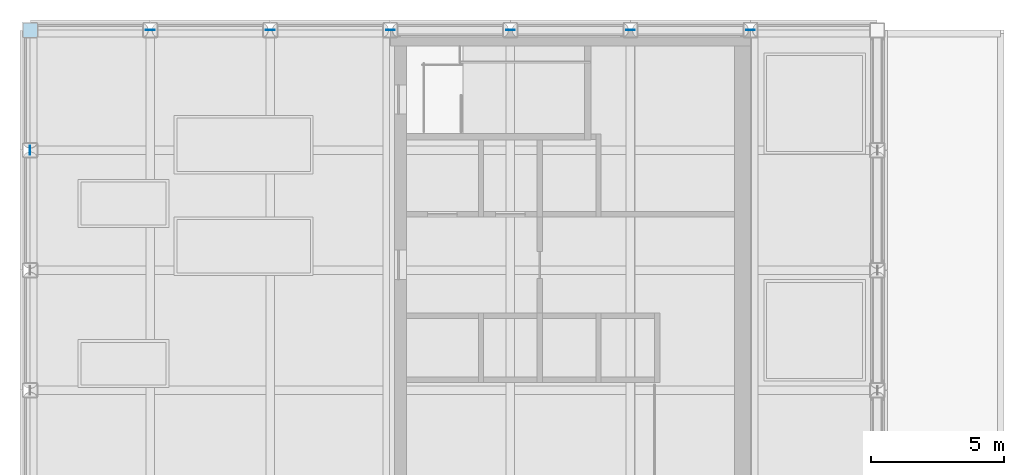
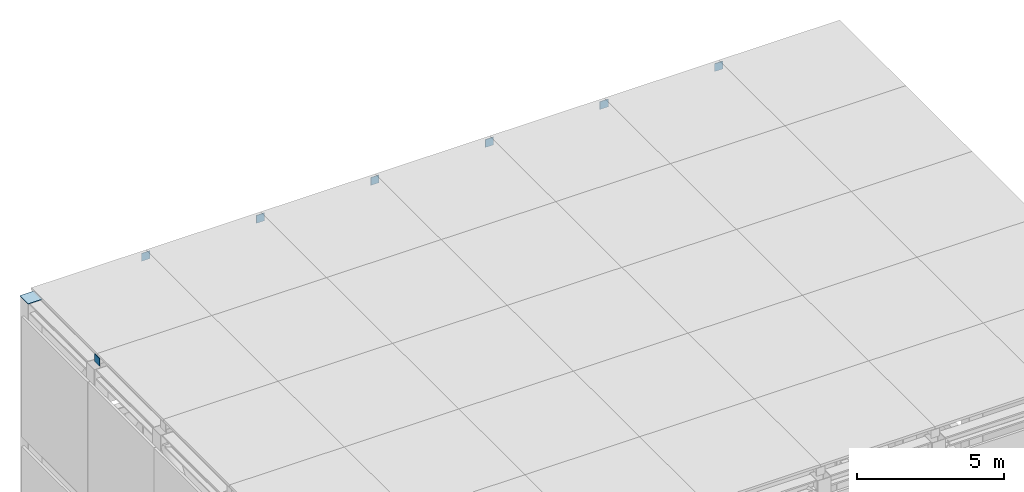
# One storey, part 5 of 11: 8 plates.
"""IFC4 building model written with IfcOpenShell, lengths in metres."""

from ifc_helpers import new_model, si_unit, direction, frame, origin, origin_2d, place, context, subcontext, project, spatial, rectangle, extrude, material, layer, layer_set, type_object, element, save


model = new_model("IFC4")

# Units and contexts
model_context = context("Model", 3, precision=1e-05, world=origin(), true_north=direction((0.0, 1.0)))
body_context = subcontext(model_context, "Body", "Model", "MODEL_VIEW")
ifc_project = project(units=[si_unit("LENGTHUNIT", "METRE"), si_unit("AREAUNIT", "SQUARE_METRE"), si_unit("VOLUMEUNIT", "CUBIC_METRE"), si_unit("PLANEANGLEUNIT", "RADIAN"), si_unit("MASSUNIT", "GRAM", prefix="KILO")], contexts=[model_context])

# Site, building, storey
site_placement = place(None, origin())
site = spatial("IfcSite", under=ifc_project, at=site_placement, CompositionType="ELEMENT")
building_placement = place(site_placement, origin())
building = spatial("IfcBuilding", under=site, at=building_placement, Name="Sennacour Bend Tower", CompositionType="ELEMENT")
storey_placement = place(building_placement, frame((0.0, 0.0, 355.5)))
storey = spatial("IfcBuildingStorey", under=building, at=storey_placement, Name="RF", CompositionType="ELEMENT", Elevation=355.5)

# Plates
ifc_material = material(Name="Steel ASTM A572 Grade 50", Category="steel")
ifc_layer_1 = layer(ifc_material, 0.02490234375, Name="Steel ASTM A572 Grade 50", Category="steel")
ifc_layer_set_1 = layer_set([ifc_layer_1], Name="Steel ASTM A572 Grade 50")
plate_type_1 = type_object("IfcPlateType", Name="Crown post cap plate 25", PredefinedType="USERDEFINED", material=ifc_layer_set_1)
plate_1_placement = place(storey_placement, frame((40.5, 22.5, 23.67626953125), z_axis=(0.0, 0.0, 1.0), x_axis=(1.0, 0.0, 0.0)))
element("IfcPlate", 1, at=plate_1_placement, inside=storey, type_object=plate_type_1, Name="CROWN FRAME post cap plate CPC-004", ObjectType="END PLATE", PredefinedType="USERDEFINED", context=body_context, shape_type="SweptSolid", body=[
    extrude(rectangle(XDim=0.558837890625, YDim=0.558837890625, at=origin_2d()), origin(), (0.0, 0.0, 1.0), 0.02490234375),
])
ifc_layer_2 = layer(ifc_material, 0.02001953125, Name="Steel ASTM A572 Grade 50", Category="steel")
ifc_layer_set_2 = layer_set([ifc_layer_2], Name="Steel ASTM A572 Grade 50")
plate_type_2 = type_object("IfcPlateType", Name="Crown rafter end plate 20", PredefinedType="USERDEFINED", material=ifc_layer_set_2)
for number, where, z_axis, x_axis, name in (
    (2, (45.0, 22.510009765625, 23.67626953125), (0.0, 0.0, 1.0), (1.0, 0.0, 0.0), "CROWN FRAME rafter end plate CFP-002"),
    (3, (49.5, 22.510009765625, 23.67626953125), (0.0, 0.0, 1.0), (1.0, 0.0, 0.0), "CROWN FRAME rafter end plate CFP-004"),
    (4, (54.0, 22.510009765625, 23.67626953125), (0.0, 0.0, 1.0), (1.0, 0.0, 0.0), "CROWN FRAME rafter end plate CFP-006"),
    (5, (58.5, 22.510009765625, 23.67626953125), (0.0, 0.0, 1.0), (1.0, 0.0, 0.0), "CROWN FRAME rafter end plate CFP-008"),
    (6, (63.0, 22.510009765625, 23.67626953125), (0.0, 0.0, 1.0), (1.0, 0.0, 0.0), "CROWN FRAME rafter end plate CFP-010"),
    (7, (67.5, 22.510009765625, 23.67626953125), (0.0, 0.0, 1.0), (1.0, 0.0, 0.0), "CROWN FRAME rafter end plate CFP-012"),
):
    element("IfcPlate", number, at=place(storey_placement, frame(where, z_axis=z_axis, x_axis=x_axis)), inside=storey, type_object=plate_type_2, Name=name, ObjectType="END PLATE", PredefinedType="USERDEFINED", context=body_context, shape_type="SweptSolid", body=[
        extrude(rectangle(XDim=0.323974609375, YDim=0.02001953125, at=origin_2d()), origin(), (0.0, 0.0, 1.0), 0.323974609375),
    ])
plate_2_placement = place(storey_placement, frame((40.489990234375, 18.0, 23.67626953125), z_axis=(0.0, 0.0, 1.0), x_axis=(1.0, 0.0, 0.0)))
element("IfcPlate", 8, at=plate_2_placement, inside=storey, type_object=plate_type_2, Name="CROWN FRAME rafter end plate CFP-019", ObjectType="END PLATE", PredefinedType="USERDEFINED", context=body_context, shape_type="SweptSolid", body=[
    extrude(rectangle(XDim=0.02001953125, YDim=0.323974609375, at=origin_2d()), origin(), (0.0, 0.0, 1.0), 0.323974609375),
])

save(model, "model.ifc")
